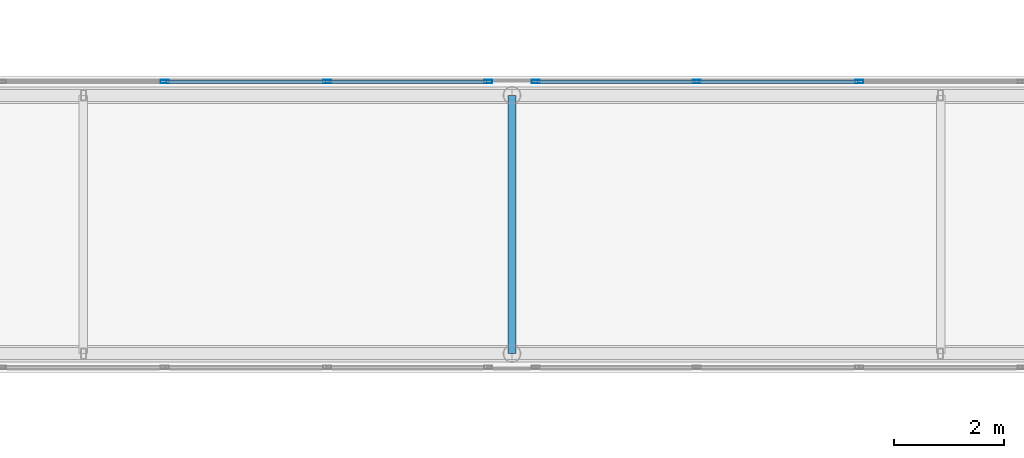
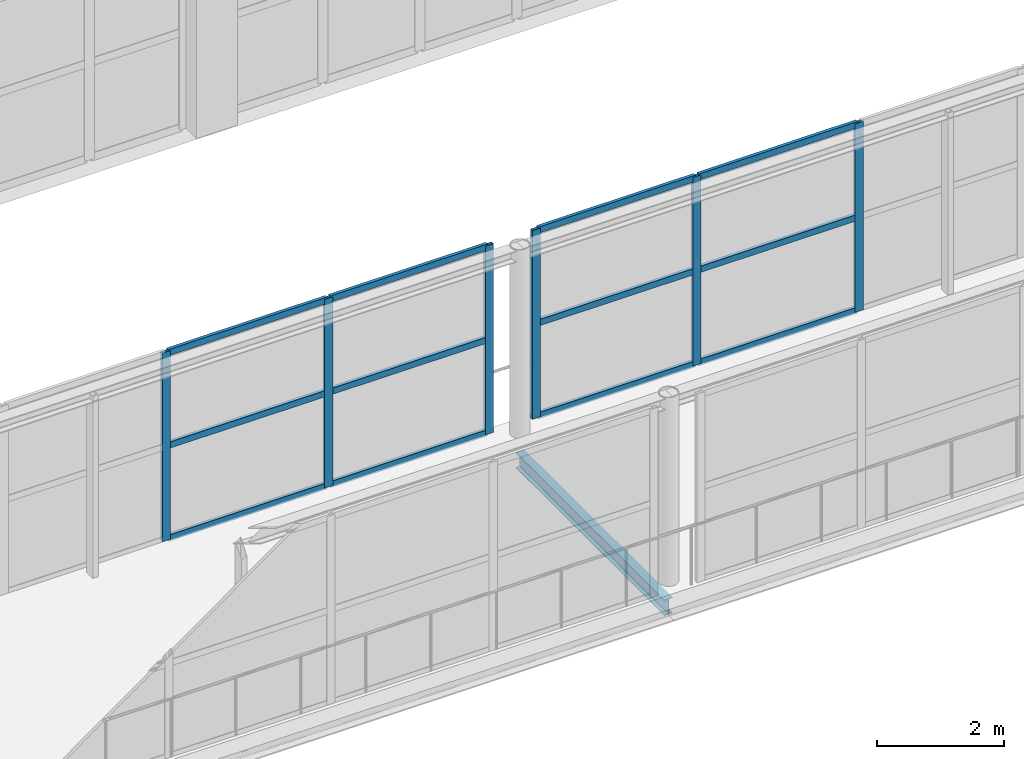
# One storey, part 75 of 167: 18 members, 1 beam, 2 elements without a shape of their own.
"""IFC4 building model written with IfcOpenShell, lengths in metres."""

from ifc_helpers import new_model, si_unit, direction, frame, origin, origin_2d, place, context, subcontext, project, spatial, hollow_rectangle, i_section, extrude, material, layer, layer_set, material_profile, profile_set, type_object, element, aggregate, save


model = new_model("IFC4")

# Units and contexts
model_context = context("Model", 3, precision=1e-05, world=origin(), true_north=direction((0.0, 1.0)))
body_context = subcontext(model_context, "Body", "Model", "MODEL_VIEW")
ifc_project = project(units=[si_unit("LENGTHUNIT", "METRE"), si_unit("AREAUNIT", "SQUARE_METRE"), si_unit("VOLUMEUNIT", "CUBIC_METRE"), si_unit("PLANEANGLEUNIT", "RADIAN"), si_unit("MASSUNIT", "GRAM", prefix="KILO")], contexts=[model_context])

# Site, building, storey
site_placement = place(None, origin())
site = spatial("IfcSite", under=ifc_project, at=site_placement, CompositionType="ELEMENT")
building_placement = place(site_placement, origin())
building = spatial("IfcBuilding", under=site, at=building_placement, Name="Zizhar Promenade General Hospital", CompositionType="ELEMENT")
storey_placement = place(building_placement, frame((0.0, 0.0, 9.60009765625)))
storey = spatial("IfcBuildingStorey", under=building, at=storey_placement, Name="L02", CompositionType="ELEMENT", Elevation=9.60009765625)

# Beam
ifc_material_1 = material(Name="Steel S355", Category="steel")
ifc_material_profile_1 = material_profile(ifc_material_1, i_section(OverallWidth=0.14990234375, OverallDepth=0.300048828125, WebThickness=0.007080078125, FlangeThickness=0.0107421875, FilletRadius=0.014892578125, at=origin_2d()))
ifc_profile_set_1 = profile_set([ifc_material_profile_1], Name="Steel S355")
beam_type = type_object("IfcBeamType", Name="BM-STL-IPE300", PredefinedType="JOIST", material=ifc_profile_set_1)
beam_placement = place(storey_placement, frame((101.39990234375, 77.75, -0.5), z_axis=(0.0, 1.0, 0.0), x_axis=(-1.0, 0.0, 0.0)))
element("IfcBeam", 1, at=beam_placement, inside=storey, type_object=beam_type, Name="SB-2 Transverse Deck Beam 101.4", PredefinedType="JOIST", context=body_context, shape_type="SweptSolid", body=[
    extrude(i_section(OverallWidth=0.14990234375, OverallDepth=0.300048828125, WebThickness=0.007080078125, FlangeThickness=0.0107421875, FilletRadius=0.014892578125, at=origin_2d()), origin(), (0.0, 0.0, 1.0), 4.699951171875),
])

# Curtain wall, members
ifc_material_2 = material(Name="Anodised aluminium 6063-T6 and low-E glass", Category="aluminium")
ifc_layer = layer(ifc_material_2, 0.159912109375)
ifc_layer_set = layer_set([ifc_layer], Name="Anodised aluminium 6063-T6 and low-E glass")
curtain_wall_type = type_object("IfcCurtainWallType", Name="CW-SKY-GLZ", PredefinedType="NOTDEFINED", material=ifc_layer_set)
curtain_wall_1_placement = place(storey_placement, origin())
curtain_wall_1 = element("IfcCurtainWall", 2, at=curtain_wall_1_placement, inside=storey, type_object=curtain_wall_type, Name="Courtyard Surgical-Clinic Skybridge Level L02 North Glazing 2", PredefinedType="NOTDEFINED")
ifc_material_3 = material(Name="Anodised aluminium 6063-T6", Category="aluminium")
ifc_material_profile_2 = material_profile(ifc_material_3, hollow_rectangle(XDim=0.06005859375, YDim=0.14990234375, WallThickness=0.00390625, at=origin_2d()))
ifc_profile_set_2 = profile_set([ifc_material_profile_2], Name="Anodised aluminium 6063-T6")
member_type_1 = type_object("IfcMemberType", Name="CWM-ALU-150x60", PredefinedType="MULLION", material=ifc_profile_set_2)
member_1_placement = place(storey_placement, frame((95.080078125, 82.699951171875, 0.0), z_axis=(0.0, 0.0, 1.0), x_axis=(0.0, 1.0, 0.0)))
member_1 = element("IfcMember", 3, at=member_1_placement, type_object=member_type_1, Name="CW-15 mullion 4", PredefinedType="MULLION", context=body_context, shape_type="SweptSolid", body=[
    extrude(hollow_rectangle(XDim=0.06005859375, YDim=0.14990234375, WallThickness=0.00390625, at=origin_2d()), origin(), (0.0, 0.0, 1.0), 3.639892578125),
])
member_2_placement = place(storey_placement, frame((98.0400390625, 82.699951171875, 0.0), z_axis=(0.0, 0.0, 1.0), x_axis=(0.0, 1.0, 0.0)))
member_2 = element("IfcMember", 4, at=member_2_placement, type_object=member_type_1, Name="CW-15 mullion 5", PredefinedType="MULLION", context=body_context, shape_type="SweptSolid", body=[
    extrude(hollow_rectangle(XDim=0.06005859375, YDim=0.14990234375, WallThickness=0.00390625, at=origin_2d()), origin(), (0.0, 0.0, 1.0), 3.639892578125),
])
member_3_placement = place(storey_placement, frame((100.969970703125, 82.699951171875, 0.0), z_axis=(0.0, 0.0, 1.0), x_axis=(0.0, 1.0, 0.0)))
member_3 = element("IfcMember", 5, at=member_3_placement, type_object=member_type_1, Name="CW-15 mullion 6", PredefinedType="MULLION", context=body_context, shape_type="SweptSolid", body=[
    extrude(hollow_rectangle(XDim=0.06005859375, YDim=0.14990234375, WallThickness=0.00390625, at=origin_2d()), origin(), (0.0, 0.0, 1.0), 3.639892578125),
])

curtain_wall_2_placement = place(storey_placement, origin())
curtain_wall_2 = element("IfcCurtainWall", 6, at=curtain_wall_2_placement, inside=storey, type_object=curtain_wall_type, Name="Courtyard Surgical-Clinic Skybridge Level L02 North Glazing 3", PredefinedType="NOTDEFINED")
member_4_placement = place(storey_placement, frame((101.830078125, 82.699951171875, 0.0), z_axis=(0.0, 0.0, 1.0), x_axis=(0.0, 1.0, 0.0)))
member_4 = element("IfcMember", 7, at=member_4_placement, type_object=member_type_1, Name="CW-15 mullion 1", PredefinedType="MULLION", context=body_context, shape_type="SweptSolid", body=[
    extrude(hollow_rectangle(XDim=0.06005859375, YDim=0.14990234375, WallThickness=0.00390625, at=origin_2d()), origin(), (0.0, 0.0, 1.0), 3.639892578125),
])
member_5_placement = place(storey_placement, frame((104.760009765625, 82.699951171875, 0.0), z_axis=(0.0, 0.0, 1.0), x_axis=(0.0, 1.0, 0.0)))
member_5 = element("IfcMember", 8, at=member_5_placement, type_object=member_type_1, Name="CW-15 mullion 2", PredefinedType="MULLION", context=body_context, shape_type="SweptSolid", body=[
    extrude(hollow_rectangle(XDim=0.06005859375, YDim=0.14990234375, WallThickness=0.00390625, at=origin_2d()), origin(), (0.0, 0.0, 1.0), 3.639892578125),
])
member_6_placement = place(storey_placement, frame((107.719970703125, 82.699951171875, 0.0), z_axis=(0.0, 0.0, 1.0), x_axis=(0.0, 1.0, 0.0)))
member_6 = element("IfcMember", 9, at=member_6_placement, type_object=member_type_1, Name="CW-15 mullion 3", PredefinedType="MULLION", context=body_context, shape_type="SweptSolid", body=[
    extrude(hollow_rectangle(XDim=0.06005859375, YDim=0.14990234375, WallThickness=0.00390625, at=origin_2d()), origin(), (0.0, 0.0, 1.0), 3.639892578125),
])

# Member
ifc_material_4 = material(Name="Anodised aluminium 6063-T6", Category="aluminium")
ifc_material_profile_3 = material_profile(ifc_material_4, hollow_rectangle(XDim=0.06005859375, YDim=0.1201171875, WallThickness=0.00390625, at=origin_2d()))
ifc_profile_set_3 = profile_set([ifc_material_profile_3], Name="Anodised aluminium 6063-T6")
member_type_2 = type_object("IfcMemberType", Name="CWT-ALU-120x60", PredefinedType="USERDEFINED", material=ifc_profile_set_3)
member_7_placement = place(storey_placement, frame((95.110107421875, 82.699951171875, 0.02978515625), z_axis=(1.0, 0.0, 0.0), x_axis=(0.0, 1.0, 0.0)))
member_7 = element("IfcMember", 10, at=member_7_placement, type_object=member_type_2, Name="CW-15 transom 4.1", ObjectType="TRANSOM", PredefinedType="USERDEFINED", context=body_context, shape_type="SweptSolid", body=[
    extrude(hollow_rectangle(XDim=0.06005859375, YDim=0.1201171875, WallThickness=0.00390625, at=origin_2d()), origin(), (0.0, 0.0, 1.0), 2.89990234375),
])

member_8_placement = place(storey_placement, frame((95.110107421875, 82.699951171875, 1.81982421875), z_axis=(1.0, 0.0, 0.0), x_axis=(0.0, 1.0, 0.0)))
member_8 = element("IfcMember", 11, at=member_8_placement, type_object=member_type_2, Name="CW-15 transom 4.2", ObjectType="TRANSOM", PredefinedType="USERDEFINED", context=body_context, shape_type="SweptSolid", body=[
    extrude(hollow_rectangle(XDim=0.06005859375, YDim=0.1201171875, WallThickness=0.00390625, at=origin_2d()), origin(), (0.0, 0.0, 1.0), 2.89990234375),
])

member_9_placement = place(storey_placement, frame((95.110107421875, 82.699951171875, 3.60986328125), z_axis=(1.0, 0.0, 0.0), x_axis=(0.0, 1.0, 0.0)))
member_9 = element("IfcMember", 12, at=member_9_placement, type_object=member_type_2, Name="CW-15 transom 4.3", ObjectType="TRANSOM", PredefinedType="USERDEFINED", context=body_context, shape_type="SweptSolid", body=[
    extrude(hollow_rectangle(XDim=0.06005859375, YDim=0.1201171875, WallThickness=0.00390625, at=origin_2d()), origin(), (0.0, 0.0, 1.0), 2.89990234375),
])

member_10_placement = place(storey_placement, frame((98.070068359375, 82.699951171875, 0.02978515625), z_axis=(1.0, 0.0, 0.0), x_axis=(0.0, 1.0, 0.0)))
member_10 = element("IfcMember", 13, at=member_10_placement, type_object=member_type_2, Name="CW-15 transom 5.1", ObjectType="TRANSOM", PredefinedType="USERDEFINED", context=body_context, shape_type="SweptSolid", body=[
    extrude(hollow_rectangle(XDim=0.06005859375, YDim=0.1201171875, WallThickness=0.00390625, at=origin_2d()), origin(), (0.0, 0.0, 1.0), 2.869873046875),
])

member_11_placement = place(storey_placement, frame((98.070068359375, 82.699951171875, 1.81982421875), z_axis=(1.0, 0.0, 0.0), x_axis=(0.0, 1.0, 0.0)))
member_11 = element("IfcMember", 14, at=member_11_placement, type_object=member_type_2, Name="CW-15 transom 5.2", ObjectType="TRANSOM", PredefinedType="USERDEFINED", context=body_context, shape_type="SweptSolid", body=[
    extrude(hollow_rectangle(XDim=0.06005859375, YDim=0.1201171875, WallThickness=0.00390625, at=origin_2d()), origin(), (0.0, 0.0, 1.0), 2.869873046875),
])

member_12_placement = place(storey_placement, frame((98.070068359375, 82.699951171875, 3.60986328125), z_axis=(1.0, 0.0, 0.0), x_axis=(0.0, 1.0, 0.0)))
member_12 = element("IfcMember", 15, at=member_12_placement, type_object=member_type_2, Name="CW-15 transom 5.3", ObjectType="TRANSOM", PredefinedType="USERDEFINED", context=body_context, shape_type="SweptSolid", body=[
    extrude(hollow_rectangle(XDim=0.06005859375, YDim=0.1201171875, WallThickness=0.00390625, at=origin_2d()), origin(), (0.0, 0.0, 1.0), 2.869873046875),
])

aggregate(curtain_wall_1, [member_1, member_2, member_3, member_7, member_8, member_9, member_10, member_11, member_12])

member_13_placement = place(storey_placement, frame((101.860107421875, 82.699951171875, 0.02978515625), z_axis=(1.0, 0.0, 0.0), x_axis=(0.0, 1.0, 0.0)))
member_13 = element("IfcMember", 16, at=member_13_placement, type_object=member_type_2, Name="CW-15 transom 1.1", ObjectType="TRANSOM", PredefinedType="USERDEFINED", context=body_context, shape_type="SweptSolid", body=[
    extrude(hollow_rectangle(XDim=0.06005859375, YDim=0.1201171875, WallThickness=0.00390625, at=origin_2d()), origin(), (0.0, 0.0, 1.0), 2.869873046875),
])

member_14_placement = place(storey_placement, frame((101.860107421875, 82.699951171875, 1.81982421875), z_axis=(1.0, 0.0, 0.0), x_axis=(0.0, 1.0, 0.0)))
member_14 = element("IfcMember", 17, at=member_14_placement, type_object=member_type_2, Name="CW-15 transom 1.2", ObjectType="TRANSOM", PredefinedType="USERDEFINED", context=body_context, shape_type="SweptSolid", body=[
    extrude(hollow_rectangle(XDim=0.06005859375, YDim=0.1201171875, WallThickness=0.00390625, at=origin_2d()), origin(), (0.0, 0.0, 1.0), 2.869873046875),
])

member_15_placement = place(storey_placement, frame((101.860107421875, 82.699951171875, 3.60986328125), z_axis=(1.0, 0.0, 0.0), x_axis=(0.0, 1.0, 0.0)))
member_15 = element("IfcMember", 18, at=member_15_placement, type_object=member_type_2, Name="CW-15 transom 1.3", ObjectType="TRANSOM", PredefinedType="USERDEFINED", context=body_context, shape_type="SweptSolid", body=[
    extrude(hollow_rectangle(XDim=0.06005859375, YDim=0.1201171875, WallThickness=0.00390625, at=origin_2d()), origin(), (0.0, 0.0, 1.0), 2.869873046875),
])

member_16_placement = place(storey_placement, frame((104.7900390625, 82.699951171875, 0.02978515625), z_axis=(1.0, 0.0, 0.0), x_axis=(0.0, 1.0, 0.0)))
member_16 = element("IfcMember", 19, at=member_16_placement, type_object=member_type_2, Name="CW-15 transom 2.1", ObjectType="TRANSOM", PredefinedType="USERDEFINED", context=body_context, shape_type="SweptSolid", body=[
    extrude(hollow_rectangle(XDim=0.06005859375, YDim=0.1201171875, WallThickness=0.00390625, at=origin_2d()), origin(), (0.0, 0.0, 1.0), 2.89990234375),
])

member_17_placement = place(storey_placement, frame((104.7900390625, 82.699951171875, 1.81982421875), z_axis=(1.0, 0.0, 0.0), x_axis=(0.0, 1.0, 0.0)))
member_17 = element("IfcMember", 20, at=member_17_placement, type_object=member_type_2, Name="CW-15 transom 2.2", ObjectType="TRANSOM", PredefinedType="USERDEFINED", context=body_context, shape_type="SweptSolid", body=[
    extrude(hollow_rectangle(XDim=0.06005859375, YDim=0.1201171875, WallThickness=0.00390625, at=origin_2d()), origin(), (0.0, 0.0, 1.0), 2.89990234375),
])

member_18_placement = place(storey_placement, frame((104.7900390625, 82.699951171875, 3.60986328125), z_axis=(1.0, 0.0, 0.0), x_axis=(0.0, 1.0, 0.0)))
member_18 = element("IfcMember", 21, at=member_18_placement, type_object=member_type_2, Name="CW-15 transom 2.3", ObjectType="TRANSOM", PredefinedType="USERDEFINED", context=body_context, shape_type="SweptSolid", body=[
    extrude(hollow_rectangle(XDim=0.06005859375, YDim=0.1201171875, WallThickness=0.00390625, at=origin_2d()), origin(), (0.0, 0.0, 1.0), 2.89990234375),
])

aggregate(curtain_wall_2, [member_4, member_5, member_6, member_13, member_14, member_15, member_16, member_17, member_18])

save(model, "model.ifc")
